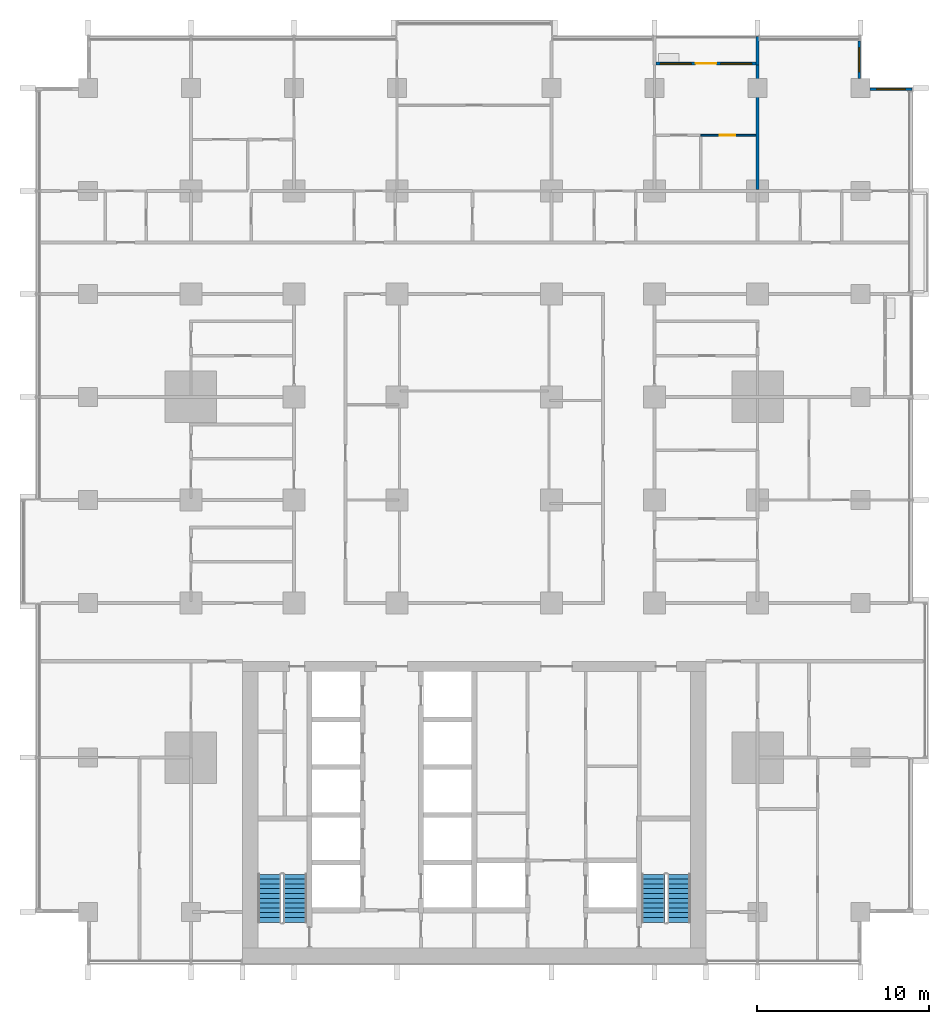
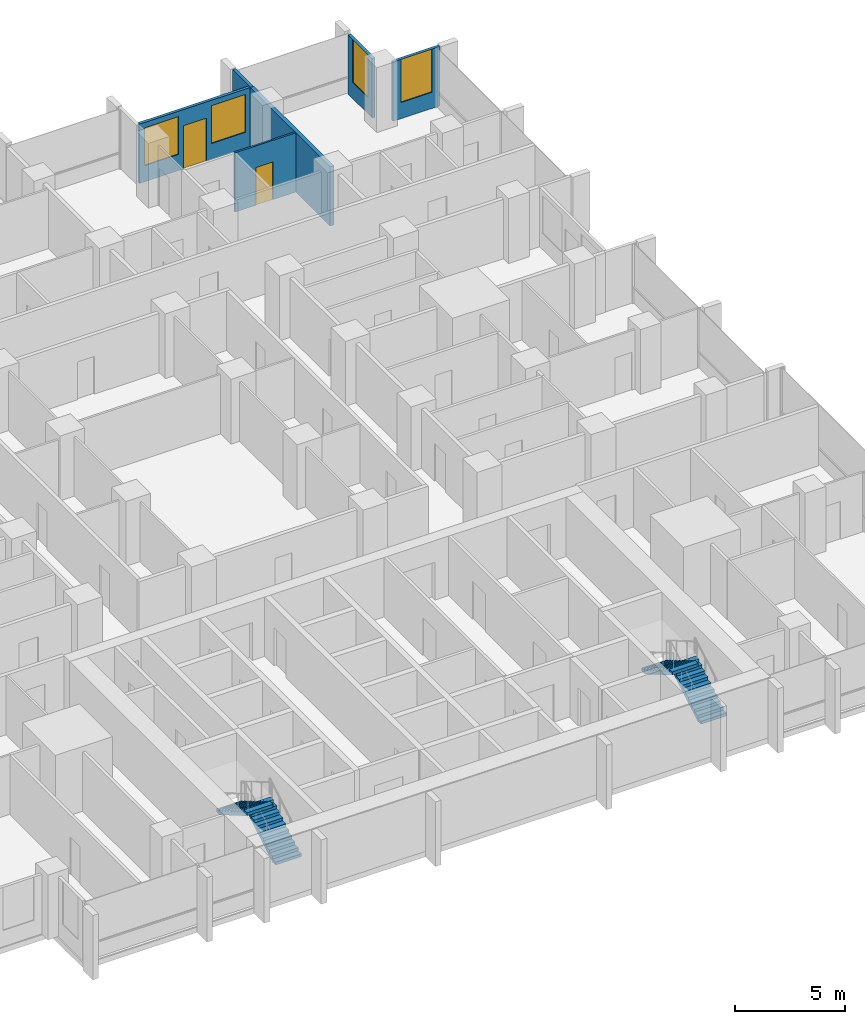
# One storey, part 13 of 18: 6 walls, 4 stair flights, 4 windows, 2 doors, 6 openings, 2 elements without a shape of their own.
"""IFC4 building model written with IfcOpenShell, lengths in metres."""

from ifc_helpers import new_model, si_unit, direction, frame, frame_2d, origin, place, context, subcontext, project, spatial, polyline, rectangle, outline, extrude, material, layer, layer_set, type_object, element, fill, aggregate, save


model = new_model("IFC4")

# Units and contexts
model_context = context("Model", 3, precision=1e-05, world=origin(), true_north=direction((0.0, 1.0)))
body_context = subcontext(model_context, "Body", "Model", "MODEL_VIEW")
ifc_project = project(units=[si_unit("LENGTHUNIT", "METRE"), si_unit("AREAUNIT", "SQUARE_METRE"), si_unit("VOLUMEUNIT", "CUBIC_METRE"), si_unit("PLANEANGLEUNIT", "RADIAN"), si_unit("MASSUNIT", "GRAM", prefix="KILO")], contexts=[model_context])

# Site, building, storey
site_placement = place(None, origin())
site = spatial("IfcSite", under=ifc_project, at=site_placement, CompositionType="ELEMENT")
building_placement = place(site_placement, origin())
building = spatial("IfcBuilding", under=site, at=building_placement, Name="Finial Court Residences", CompositionType="ELEMENT")
storey_placement = place(building_placement, frame((0.0, 0.0, 68.5)))
storey = spatial("IfcBuildingStorey", under=building, at=storey_placement, Name="L16", CompositionType="ELEMENT", Elevation=68.5)

# Wall
ifc_material_1 = material(Name="Gypsum board")
ifc_layer_1 = layer(ifc_material_1, 0.02490234375)
ifc_material_2 = material(Name="Acoustic mineral wool in double frame")
ifc_layer_2 = layer(ifc_material_2, 0.14990234375)
ifc_layer_3 = layer(ifc_material_1, 0.02490234375)
ifc_layer_set_1 = layer_set([ifc_layer_1, ifc_layer_2, ifc_layer_3], Name="Acoustic party wall 200, 1 hour")
wall_type_1 = type_object("IfcWallType", Name="Acoustic party wall 200, 1 hour", PredefinedType="PARTITIONING", material=ifc_layer_set_1)
wall_1_placement = place(storey_placement, frame((16.5, 19.574951171875, 0.0), z_axis=(0.0, 0.0, 1.0), x_axis=(0.0, 1.0, 0.0)))
element("IfcWall", 1, at=wall_1_placement, inside=storey, type_object=wall_type_1, Name="Partition L16-093", PredefinedType="PARTITIONING", context=body_context, shape_type="SweptSolid", body=[
    extrude(rectangle(XDim=7.275146484375, YDim=0.199951171875, at=frame_2d((3.6376953125, 0.0))), origin(), (0.0, 0.0, 1.0), 3.300048828125),
])

# Wall, opening, door
ifc_layer_4 = layer(ifc_material_1, 0.012451171875)
ifc_material_3 = material(Name="Mineral wool in light-gauge frame")
ifc_layer_5 = layer(ifc_material_3, 0.074951171875)
ifc_layer_6 = layer(ifc_material_1, 0.012451171875)
ifc_layer_set_2 = layer_set([ifc_layer_4, ifc_layer_5, ifc_layer_6], Name="Gypsum board partition 100")
wall_type_2 = type_object("IfcWallType", Name="Gypsum board partition 100", PredefinedType="PARTITIONING", material=ifc_layer_set_2)
wall_2_placement = place(storey_placement, frame((13.199951171875, 22.75, 0.0), z_axis=(0.0, 0.0, 1.0), x_axis=(1.0, 0.0, 0.0)))
wall_2 = element("IfcWall", 2, at=wall_2_placement, inside=storey, type_object=wall_type_2, Name="Partition L16-051", PredefinedType="PARTITIONING", context=body_context, shape_type="SweptSolid", body=[
    extrude(rectangle(XDim=3.199951171875, YDim=0.10009765625, at=frame_2d((1.60009765625, 0.0))), origin(), (0.0, 0.0, 1.0), 3.300048828125),
])
opening_1_placement = place(wall_2_placement, frame((1.10009765625, 0.0, 0.0)))
opening_1 = element("IfcOpeningElement", 3, at=opening_1_placement, cuts=wall_2, Name="Opening L16-D029", PredefinedType="OPENING", context=body_context, shape_type="SweptSolid", body=[
    extrude(rectangle(XDim=0.89990234375, YDim=2.10009765625, at=frame_2d((0.449951171875, 1.050048828125))), frame((0.0, 0.06005859375, 0.0), z_axis=(0.0, -1.0, 0.0), x_axis=(1.0, 0.0, 0.0)), (0.0, 0.0, 1.0), 0.1201171875),
])
ifc_material_4 = material(Name="Timber door leaf in timber frame", Category="wood")
door_type_1 = type_object("IfcDoorType", Name="Door set 900 x 2100", OperationType="SINGLE_SWING_LEFT", PredefinedType="DOOR", material=ifc_material_4)
door_1_placement = place(opening_1_placement, origin())
door_1 = element("IfcDoor", 4, at=door_1_placement, inside=storey, type_object=door_type_1, Name="Door L16-D029", OperationType="SINGLE_SWING_LEFT", OverallHeight=2.10009765625, OverallWidth=0.89990234375, PredefinedType="DOOR", context=body_context, shape_type="SweptSolid", body=[
    extrude(rectangle(XDim=0.89990234375, YDim=2.10009765625, at=frame_2d((0.449951171875, 1.050048828125))), frame((0.0, 0.02490234375, 0.0), z_axis=(0.0, -1.0, 0.0), x_axis=(1.0, 0.0, 0.0)), (0.0, 0.0, 1.0), 0.050048828125),
])
fill(opening_1, door_1)

# Wall, opening, window
ifc_material_5 = material(Name="Natural limestone", Category="masonry")
ifc_layer_7 = layer(ifc_material_5, 0.14990234375)
ifc_layer_set_3 = layer_set([ifc_layer_7], Name="Limestone clad wall 150")
wall_type_3 = type_object("IfcWallType", Name="Limestone clad wall 150", PredefinedType="SOLIDWALL", material=ifc_layer_set_3)
wall_3_placement = place(storey_placement, frame((22.425048828125, 28.25, 0.0), z_axis=(0.0, 0.0, 1.0), x_axis=(0.0, -1.0, 0.0)))
wall_3 = element("IfcWall", 5, at=wall_3_placement, inside=storey, type_object=wall_type_3, Name="E-L16-NWE20", PredefinedType="SOLIDWALL", context=body_context, shape_type="SweptSolid", body=[
    extrude(rectangle(XDim=2.199951171875, YDim=0.14990234375, at=frame_2d((1.10009765625, 0.0))), origin(), (0.0, 0.0, 1.0), 3.300048828125),
])
opening_2_placement = place(wall_3_placement, frame((0.39990234375, 0.0, 0.89990234375)))
opening_2 = element("IfcOpeningElement", 6, at=opening_2_placement, cuts=wall_3, Name="Opening WE16-07", PredefinedType="OPENING", context=body_context, shape_type="SweptSolid", body=[
    extrude(rectangle(XDim=1.39990234375, YDim=2.39990234375, at=frame_2d((0.699951171875, 1.199951171875))), frame((0.0, 0.0849609375, 0.0), z_axis=(0.0, -1.0, 0.0), x_axis=(1.0, 0.0, 0.0)), (0.0, 0.0, 1.0), 0.169921875),
])
ifc_material_6 = material(Name="Clear low-e glass", Category="glass")
window_type_1 = type_object("IfcWindowType", Name="Corner window 1400 x 2400", PartitioningType="SINGLE_PANEL", PredefinedType="WINDOW", material=ifc_material_6)
window_1_placement = place(opening_2_placement, origin())
window_1 = element("IfcWindow", 7, at=window_1_placement, inside=storey, type_object=window_type_1, Name="E-L16-NWE20-W1", OverallHeight=2.39990234375, OverallWidth=1.39990234375, PartitioningType="SINGLE_PANEL", PredefinedType="WINDOW", context=body_context, shape_type="SweptSolid", body=[
    extrude(rectangle(XDim=1.39990234375, YDim=2.39990234375, at=frame_2d((0.699951171875, 1.199951171875))), frame((0.0, 0.030029296875, 0.0), z_axis=(0.0, -1.0, 0.0), x_axis=(1.0, 0.0, 0.0)), (0.0, 0.0, 1.0), 0.06005859375),
])
fill(opening_2, window_1)

wall_4_placement = place(storey_placement, frame((23.050048828125, 25.425048828125, 0.0), z_axis=(0.0, 0.0, 1.0), x_axis=(1.0, 0.0, 0.0)))
wall_4 = element("IfcWall", 8, at=wall_4_placement, inside=storey, type_object=wall_type_3, Name="E-L16-NWN21", PredefinedType="SOLIDWALL", context=body_context, shape_type="SweptSolid", body=[
    extrude(rectangle(XDim=2.449951171875, YDim=0.14990234375, at=frame_2d((1.22509765625, 0.0))), origin(), (0.0, 0.0, 1.0), 3.300048828125),
])
opening_3_placement = place(wall_4_placement, frame((0.39990234375, 0.0, 0.89990234375)))
opening_3 = element("IfcOpeningElement", 9, at=opening_3_placement, cuts=wall_4, Name="Opening WE16-08", PredefinedType="OPENING", context=body_context, shape_type="SweptSolid", body=[
    extrude(rectangle(XDim=1.64990234375, YDim=2.39990234375, at=frame_2d((0.824951171875, 1.199951171875))), frame((0.0, 0.0849609375, 0.0), z_axis=(0.0, -1.0, 0.0), x_axis=(1.0, 0.0, 0.0)), (0.0, 0.0, 1.0), 0.169921875),
])
window_type_2 = type_object("IfcWindowType", Name="Corner window 1650 x 2400", PartitioningType="SINGLE_PANEL", PredefinedType="WINDOW", material=ifc_material_6)
window_2_placement = place(opening_3_placement, origin())
window_2 = element("IfcWindow", 10, at=window_2_placement, inside=storey, type_object=window_type_2, Name="E-L16-NWN21-W1", OverallHeight=2.39990234375, OverallWidth=1.64990234375, PartitioningType="SINGLE_PANEL", PredefinedType="WINDOW", context=body_context, shape_type="SweptSolid", body=[
    extrude(rectangle(XDim=1.64990234375, YDim=2.39990234375, at=frame_2d((0.824951171875, 1.199951171875))), frame((0.0, 0.030029296875, 0.0), z_axis=(0.0, -1.0, 0.0), x_axis=(1.0, 0.0, 0.0)), (0.0, 0.0, 1.0), 0.06005859375),
])
fill(opening_3, window_2)

# Wall
wall_5_placement = place(storey_placement, frame((16.5, 26.85009765625, 0.0), z_axis=(0.0, 0.0, 1.0), x_axis=(0.0, 1.0, 0.0)))
element("IfcWall", 11, at=wall_5_placement, inside=storey, type_object=wall_type_3, Name="E-L16-BALN6-P2", PredefinedType="SOLIDWALL", context=body_context, shape_type="SweptSolid", body=[
    extrude(rectangle(XDim=1.64990234375, YDim=0.14990234375, at=frame_2d((0.824951171875, 0.0))), origin(), (0.0, 0.0, 1.0), 3.300048828125),
])

# Wall, openings, door, windows
wall_6_placement = place(storey_placement, frame((10.574951171875, 26.925048828125, 0.0), z_axis=(0.0, 0.0, 1.0), x_axis=(1.0, 0.0, 0.0)))
wall_6 = element("IfcWall", 12, at=wall_6_placement, inside=storey, type_object=wall_type_3, Name="E-L16-L16-BALN6-W", PredefinedType="SOLIDWALL", context=body_context, shape_type="SweptSolid", body=[
    extrude(rectangle(XDim=5.85009765625, YDim=0.14990234375, at=frame_2d((2.925048828125, 0.0))), origin(), (0.0, 0.0, 1.0), 3.300048828125),
])
opening_4_placement = place(wall_6_placement, frame((2.324951171875, 0.0, 0.0)))
opening_4 = element("IfcOpeningElement", 13, at=opening_4_placement, cuts=wall_6, Name="Opening DE16-01", PredefinedType="OPENING", context=body_context, shape_type="SweptSolid", body=[
    extrude(rectangle(XDim=1.199951171875, YDim=2.39990234375, at=frame_2d((0.60009765625, 1.199951171875))), frame((0.0, 0.0849609375, 0.0), z_axis=(0.0, -1.0, 0.0), x_axis=(1.0, 0.0, 0.0)), (0.0, 0.0, 1.0), 0.169921875),
])
opening_5_placement = place(wall_6_placement, frame((0.262451171875, 0.0, 0.89990234375)))
opening_5 = element("IfcOpeningElement", 14, at=opening_5_placement, cuts=wall_6, Name="Opening WE16-09", PredefinedType="OPENING", context=body_context, shape_type="SweptSolid", body=[
    extrude(rectangle(XDim=1.800048828125, YDim=2.10009765625, at=frame_2d((0.89990234375, 1.050048828125))), frame((0.0, 0.0849609375, 0.0), z_axis=(0.0, -1.0, 0.0), x_axis=(1.0, 0.0, 0.0)), (0.0, 0.0, 1.0), 0.169921875),
])
opening_6_placement = place(wall_6_placement, frame((3.78759765625, 0.0, 0.89990234375)))
opening_6 = element("IfcOpeningElement", 15, at=opening_6_placement, cuts=wall_6, Name="Opening WE16-10", PredefinedType="OPENING", context=body_context, shape_type="SweptSolid", body=[
    extrude(rectangle(XDim=1.800048828125, YDim=2.10009765625, at=frame_2d((0.89990234375, 1.050048828125))), frame((0.0, 0.0849609375, 0.0), z_axis=(0.0, -1.0, 0.0), x_axis=(1.0, 0.0, 0.0)), (0.0, 0.0, 1.0), 0.169921875),
])
ifc_material_7 = material(Name="Bronze anodised aluminium", Category="aluminium")
door_type_2 = type_object("IfcDoorType", Name="Balcony door 1200 x 2400", OperationType="SINGLE_SWING_LEFT", PredefinedType="DOOR", material=ifc_material_7)
door_2_placement = place(opening_4_placement, origin())
door_2 = element("IfcDoor", 16, at=door_2_placement, inside=storey, type_object=door_type_2, Name="E-L16-L16-BALN6-W-D", OperationType="SINGLE_SWING_RIGHT", OverallHeight=2.39990234375, OverallWidth=1.199951171875, PredefinedType="DOOR", context=body_context, shape_type="SweptSolid", body=[
    extrude(rectangle(XDim=1.199951171875, YDim=2.39990234375, at=frame_2d((0.60009765625, 1.199951171875))), frame((0.0, 0.02490234375, 0.0), z_axis=(0.0, -1.0, 0.0), x_axis=(1.0, 0.0, 0.0)), (0.0, 0.0, 1.0), 0.050048828125),
])
fill(opening_4, door_2)
window_type_3 = type_object("IfcWindowType", Name="Balcony window 1800 x 2100", PartitioningType="SINGLE_PANEL", PredefinedType="WINDOW", material=ifc_material_6)
window_3_placement = place(opening_5_placement, origin())
window_3 = element("IfcWindow", 17, at=window_3_placement, inside=storey, type_object=window_type_3, Name="E-L16-L16-BALN6-W-W1", OverallHeight=2.10009765625, OverallWidth=1.800048828125, PartitioningType="SINGLE_PANEL", PredefinedType="WINDOW", context=body_context, shape_type="SweptSolid", body=[
    extrude(rectangle(XDim=1.800048828125, YDim=2.10009765625, at=frame_2d((0.89990234375, 1.050048828125))), frame((0.0, 0.030029296875, 0.0), z_axis=(0.0, -1.0, 0.0), x_axis=(1.0, 0.0, 0.0)), (0.0, 0.0, 1.0), 0.06005859375),
])
fill(opening_5, window_3)
window_4_placement = place(opening_6_placement, origin())
window_4 = element("IfcWindow", 18, at=window_4_placement, inside=storey, type_object=window_type_3, Name="E-L16-L16-BALN6-W-W2", OverallHeight=2.10009765625, OverallWidth=1.800048828125, PartitioningType="SINGLE_PANEL", PredefinedType="WINDOW", context=body_context, shape_type="SweptSolid", body=[
    extrude(rectangle(XDim=1.800048828125, YDim=2.10009765625, at=frame_2d((0.89990234375, 1.050048828125))), frame((0.0, 0.030029296875, 0.0), z_axis=(0.0, -1.0, 0.0), x_axis=(1.0, 0.0, 0.0)), (0.0, 0.0, 1.0), 0.06005859375),
])
fill(opening_6, window_4)

# Stair, stair flights
ifc_material_8 = material(Name="Concrete C50/60", Category="concrete")
stair_type = type_object("IfcStairType", Name="Exit stair 22 risers of 163.6 mm", PredefinedType="HALF_TURN_STAIR", material=ifc_material_8)
stair_1_placement = place(storey_placement, origin())
stair_1 = element("IfcStair", 19, at=stair_1_placement, inside=storey, type_object=stair_type, Name="L16 Exit stair ST-1", PredefinedType="HALF_TURN_STAIR")
stair_flight_type = type_object("IfcStairFlightType", Name="Exit stair flight", PredefinedType="STRAIGHT", material=ifc_material_8)
stair_flight_1_placement = place(storey_placement, frame((-10.425048828125, -23.10009765625, 0.0), z_axis=(0.0, 0.0, 1.0), x_axis=(0.0, 1.0, 0.0)))
stair_flight_1 = element("IfcStairFlight", 20, at=stair_flight_1_placement, type_object=stair_flight_type, Name="ST-1 flight 1", NumberOfRisers=11, NumberOfTreads=10, PredefinedType="STRAIGHT", RiserHeight=0.163636364, TreadLength=0.28, context=body_context, shape_type="SweptSolid", body=[
    extrude(outline(polyline([(0.0, 0.0), (0.0, 0.16357421875), (0.280029296875, 0.16357421875), (0.280029296875, 0.327392578125), (0.56005859375, 0.327392578125), (0.56005859375, 0.490966796875), (0.840087890625, 0.490966796875), (0.840087890625, 0.654541015625), (1.1201171875, 0.654541015625), (1.1201171875, 0.818115234375), (1.39990234375, 0.818115234375), (1.39990234375, 0.98193359375), (1.679931640625, 0.98193359375), (1.679931640625, 1.1455078125), (1.9599609375, 1.1455078125), (1.9599609375, 1.30908203125), (2.239990234375, 1.30908203125), (2.239990234375, 1.47265625), (2.52001953125, 1.47265625), (2.52001953125, 1.636474609375), (2.800048828125, 1.636474609375), (2.800048828125, 1.800048828125), (2.800048828125, 1.462646484375), (0.297119140625, 0.0), (0.0, 0.0)])), frame((0.0, 0.675048828125, 0.0), z_axis=(0.0, -1.0, 0.0), x_axis=(1.0, 0.0, 0.0)), (0.0, 0.0, 1.0), 1.35009765625),
])
stair_flight_2_placement = place(storey_placement, frame((-11.925048828125, -20.300048828125, 1.800048828125), z_axis=(0.0, 0.0, 1.0), x_axis=(0.0, -1.0, 0.0)))
stair_flight_2 = element("IfcStairFlight", 21, at=stair_flight_2_placement, type_object=stair_flight_type, Name="ST-1 flight 2", NumberOfRisers=11, NumberOfTreads=10, PredefinedType="STRAIGHT", RiserHeight=0.163636364, TreadLength=0.28, context=body_context, shape_type="SweptSolid", body=[
    extrude(outline(polyline([(0.0, 0.0), (0.0, 0.16357421875), (0.280029296875, 0.16357421875), (0.280029296875, 0.327392578125), (0.56005859375, 0.327392578125), (0.56005859375, 0.490966796875), (0.840087890625, 0.490966796875), (0.840087890625, 0.654541015625), (1.1201171875, 0.654541015625), (1.1201171875, 0.818115234375), (1.39990234375, 0.818115234375), (1.39990234375, 0.98193359375), (1.679931640625, 0.98193359375), (1.679931640625, 1.1455078125), (1.9599609375, 1.1455078125), (1.9599609375, 1.30908203125), (2.239990234375, 1.30908203125), (2.239990234375, 1.47265625), (2.52001953125, 1.47265625), (2.52001953125, 1.636474609375), (2.800048828125, 1.636474609375), (2.800048828125, 1.800048828125), (2.800048828125, 1.462646484375), (0.297119140625, 0.0), (0.0, 0.0)])), frame((0.0, 0.675048828125, 0.0), z_axis=(0.0, -1.0, 0.0), x_axis=(1.0, 0.0, 0.0)), (0.0, 0.0, 1.0), 1.35009765625),
])
aggregate(stair_1, [stair_flight_1, stair_flight_2])

stair_2_placement = place(storey_placement, origin())
stair_2 = element("IfcStair", 22, at=stair_2_placement, inside=storey, type_object=stair_type, Name="L16 Exit stair ST-2", PredefinedType="HALF_TURN_STAIR")
stair_flight_3_placement = place(storey_placement, frame((11.925048828125, -23.10009765625, 0.0), z_axis=(0.0, 0.0, 1.0), x_axis=(0.0, 1.0, 0.0)))
stair_flight_3 = element("IfcStairFlight", 23, at=stair_flight_3_placement, type_object=stair_flight_type, Name="ST-2 flight 1", NumberOfRisers=11, NumberOfTreads=10, PredefinedType="STRAIGHT", RiserHeight=0.163636364, TreadLength=0.28, context=body_context, shape_type="SweptSolid", body=[
    extrude(outline(polyline([(0.0, 0.0), (0.0, 0.16357421875), (0.280029296875, 0.16357421875), (0.280029296875, 0.327392578125), (0.56005859375, 0.327392578125), (0.56005859375, 0.490966796875), (0.840087890625, 0.490966796875), (0.840087890625, 0.654541015625), (1.1201171875, 0.654541015625), (1.1201171875, 0.818115234375), (1.39990234375, 0.818115234375), (1.39990234375, 0.98193359375), (1.679931640625, 0.98193359375), (1.679931640625, 1.1455078125), (1.9599609375, 1.1455078125), (1.9599609375, 1.30908203125), (2.239990234375, 1.30908203125), (2.239990234375, 1.47265625), (2.52001953125, 1.47265625), (2.52001953125, 1.636474609375), (2.800048828125, 1.636474609375), (2.800048828125, 1.800048828125), (2.800048828125, 1.462646484375), (0.297119140625, 0.0), (0.0, 0.0)])), frame((0.0, 0.675048828125, 0.0), z_axis=(0.0, -1.0, 0.0), x_axis=(1.0, 0.0, 0.0)), (0.0, 0.0, 1.0), 1.35009765625),
])
stair_flight_4_placement = place(storey_placement, frame((10.425048828125, -20.300048828125, 1.800048828125), z_axis=(0.0, 0.0, 1.0), x_axis=(0.0, -1.0, 0.0)))
stair_flight_4 = element("IfcStairFlight", 24, at=stair_flight_4_placement, type_object=stair_flight_type, Name="ST-2 flight 2", NumberOfRisers=11, NumberOfTreads=10, PredefinedType="STRAIGHT", RiserHeight=0.163636364, TreadLength=0.28, context=body_context, shape_type="SweptSolid", body=[
    extrude(outline(polyline([(0.0, 0.0), (0.0, 0.16357421875), (0.280029296875, 0.16357421875), (0.280029296875, 0.327392578125), (0.56005859375, 0.327392578125), (0.56005859375, 0.490966796875), (0.840087890625, 0.490966796875), (0.840087890625, 0.654541015625), (1.1201171875, 0.654541015625), (1.1201171875, 0.818115234375), (1.39990234375, 0.818115234375), (1.39990234375, 0.98193359375), (1.679931640625, 0.98193359375), (1.679931640625, 1.1455078125), (1.9599609375, 1.1455078125), (1.9599609375, 1.30908203125), (2.239990234375, 1.30908203125), (2.239990234375, 1.47265625), (2.52001953125, 1.47265625), (2.52001953125, 1.636474609375), (2.800048828125, 1.636474609375), (2.800048828125, 1.800048828125), (2.800048828125, 1.462646484375), (0.297119140625, 0.0), (0.0, 0.0)])), frame((0.0, 0.675048828125, 0.0), z_axis=(0.0, -1.0, 0.0), x_axis=(1.0, 0.0, 0.0)), (0.0, 0.0, 1.0), 1.35009765625),
])
aggregate(stair_2, [stair_flight_3, stair_flight_4])

save(model, "model.ifc")
